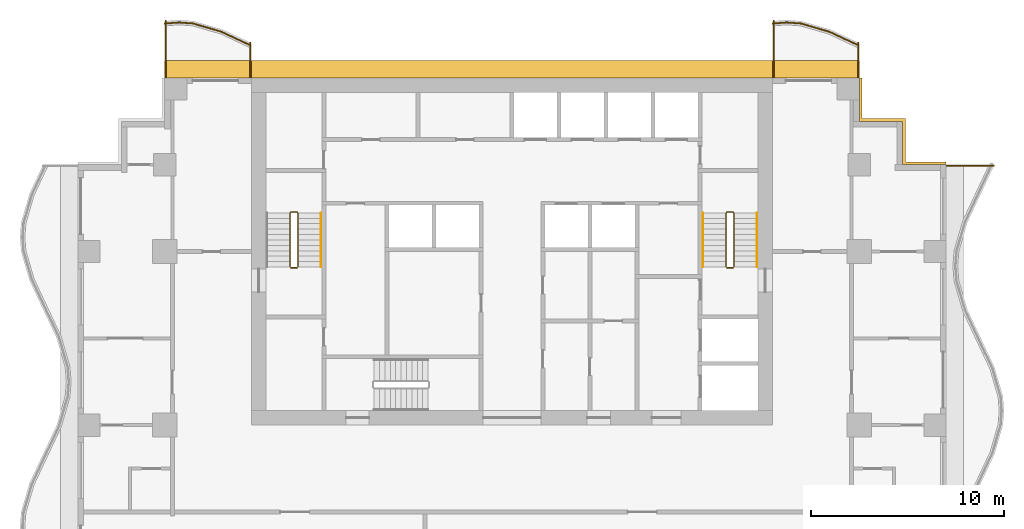
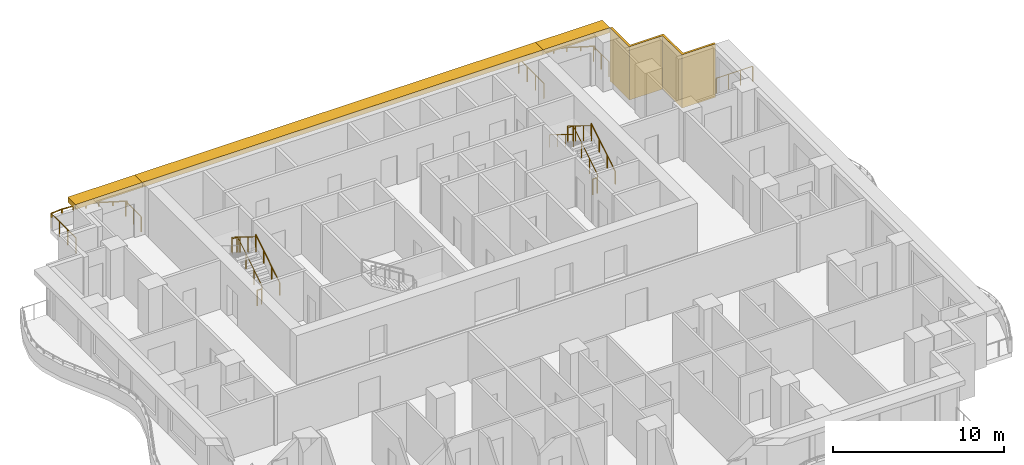
# One storey, part 10 of 10: 14 railings, 4 shading devices.
"""IFC4 building model written with IfcOpenShell, lengths in metres."""

from ifc_helpers import new_model, si_unit, direction, frame, origin, origin_2d, place, context, subcontext, project, spatial, polyline, rectangle, circle, outline, extrude, material, layer, layer_set, type_object, element, save


model = new_model("IFC4")

# Units and contexts
model_context = context("Model", 3, precision=1e-05, world=origin(), true_north=direction((0.0, 1.0)))
body_context = subcontext(model_context, "Body", "Model", "MODEL_VIEW")
ifc_project = project(units=[si_unit("LENGTHUNIT", "METRE"), si_unit("AREAUNIT", "SQUARE_METRE"), si_unit("VOLUMEUNIT", "CUBIC_METRE"), si_unit("PLANEANGLEUNIT", "RADIAN"), si_unit("MASSUNIT", "GRAM", prefix="KILO")], contexts=[model_context])

# Site, building, storey
site_placement = place(None, origin())
site = spatial("IfcSite", under=ifc_project, at=site_placement, CompositionType="ELEMENT")
building_placement = place(site_placement, origin())
building = spatial("IfcBuilding", under=site, at=building_placement, Name="Orbiselva Terraces", CompositionType="ELEMENT")
storey_placement = place(building_placement, frame((0.0, 0.0, 144.0)))
storey = spatial("IfcBuildingStorey", under=building, at=storey_placement, Name="L36", CompositionType="ELEMENT", Elevation=144.0)

# Railings
ifc_material_1 = material(Name="Stainless steel", Category="steel")
railing_type_1 = type_object("IfcRailingType", Name="CORE-GUARD-1100", PredefinedType="GUARDRAIL", material=ifc_material_1)
railing_1_placement = place(storey_placement, frame((-11.1, 12.7, 0.172727)))
element("IfcRailing", 1, at=railing_1_placement, inside=storey, type_object=railing_type_1, Name="L36 S1 stair guard 1", PredefinedType="GUARDRAIL", context=body_context, shape_type="SweptSolid", body=[
    extrude(circle(Radius=0.024, at=origin_2d()), frame((0.0, 0.0, 1.081), z_axis=(0.0, 0.851088519012, 0.52502222125), x_axis=(-1.0, 0.0, 0.0)), (0.0, 0.0, 1.0), 3.289905),
    extrude(circle(Radius=0.024, at=origin_2d()), frame((0.0, 2.8, 2.808273), z_axis=(-0.707106781187, 0.707106781187, 0.0), x_axis=(-0.707106781187, -0.707106781187, 0.0)), (0.0, 0.0, 1.0), 0.070711),
    extrude(circle(Radius=0.024, at=origin_2d()), frame((-0.05, 2.85, 2.808273), z_axis=(-1.0, 0.0, 0.0), x_axis=(0.0, -1.0, 0.0)), (0.0, 0.0, 1.0), 0.3),
    extrude(circle(Radius=0.024, at=origin_2d()), frame((-0.35, 2.85, 2.808273), z_axis=(-0.267894925557, -0.267894925557, 0.925453736133), x_axis=(0.707106781187, -0.707106781187, 0.0)), (0.0, 0.0, 1.0), 0.18664),
    extrude(circle(Radius=0.024, at=origin_2d()), frame((-0.4, 2.8, 2.981), z_axis=(0.0, -0.851088519012, 0.52502222125), x_axis=(1.0, 0.0, 0.0)), (0.0, 0.0, 1.0), 3.289905),
    extrude(circle(Radius=0.021, at=origin_2d()), origin(), (0.0, 0.0, 1.0), 1.057),
    extrude(circle(Radius=0.021, at=origin_2d()), frame((0.0, 0.933333, 0.575758)), (0.0, 0.0, 1.0), 1.057),
    extrude(circle(Radius=0.021, at=origin_2d()), frame((0.0, 1.866667, 1.151515)), (0.0, 0.0, 1.0), 1.057),
    extrude(circle(Radius=0.021, at=origin_2d()), frame((0.0, 2.8, 1.727273)), (0.0, 0.0, 1.0), 1.057),
    extrude(circle(Radius=0.021, at=origin_2d()), frame((-0.05, 2.85, 1.727273)), (0.0, 0.0, 1.0), 1.057),
    extrude(circle(Radius=0.021, at=origin_2d()), frame((-0.35, 2.85, 1.727273)), (0.0, 0.0, 1.0), 1.057),
    extrude(circle(Radius=0.021, at=origin_2d()), frame((-0.4, 2.8, 1.9)), (0.0, 0.0, 1.0), 1.057),
    extrude(circle(Radius=0.021, at=origin_2d()), frame((-0.4, 1.866667, 2.475758)), (0.0, 0.0, 1.0), 1.057),
    extrude(circle(Radius=0.021, at=origin_2d()), frame((-0.4, 0.933333, 3.051515)), (0.0, 0.0, 1.0), 1.057),
    extrude(circle(Radius=0.021, at=origin_2d()), frame((-0.4, 0.0, 3.627273)), (0.0, 0.0, 1.0), 1.057),
])
railing_2_placement = place(storey_placement, frame((-11.15, 12.65, 0.0)))
element("IfcRailing", 2, at=railing_2_placement, inside=storey, type_object=railing_type_1, Name="L36 S1 stair guard 2", PredefinedType="GUARDRAIL", context=body_context, shape_type="SweptSolid", body=[
    extrude(circle(Radius=0.024, at=origin_2d()), frame((0.0, 0.0, 1.081), z_axis=(-1.0, 0.0, 0.0), x_axis=(0.0, -1.0, 0.0)), (0.0, 0.0, 1.0), 0.3),
    extrude(circle(Radius=0.021, at=origin_2d()), origin(), (0.0, 0.0, 1.0), 1.057),
    extrude(circle(Radius=0.021, at=origin_2d()), frame((-0.3, 0.0, 0.0)), (0.0, 0.0, 1.0), 1.057),
])
railing_3_placement = place(storey_placement, frame((11.5, 12.7, 0.172727)))
element("IfcRailing", 3, at=railing_3_placement, inside=storey, type_object=railing_type_1, Name="L36 S2 stair guard 1", PredefinedType="GUARDRAIL", context=body_context, shape_type="SweptSolid", body=[
    extrude(circle(Radius=0.024, at=origin_2d()), frame((0.0, 0.0, 1.081), z_axis=(0.0, 0.851088519012, 0.52502222125), x_axis=(-1.0, 0.0, 0.0)), (0.0, 0.0, 1.0), 3.289905),
    extrude(circle(Radius=0.024, at=origin_2d()), frame((0.0, 2.8, 2.808273), z_axis=(-0.707106781187, 0.707106781187, 0.0), x_axis=(-0.707106781187, -0.707106781187, 0.0)), (0.0, 0.0, 1.0), 0.070711),
    extrude(circle(Radius=0.024, at=origin_2d()), frame((-0.05, 2.85, 2.808273), z_axis=(-1.0, 0.0, 0.0), x_axis=(0.0, -1.0, 0.0)), (0.0, 0.0, 1.0), 0.3),
    extrude(circle(Radius=0.024, at=origin_2d()), frame((-0.35, 2.85, 2.808273), z_axis=(-0.267894925557, -0.267894925557, 0.925453736133), x_axis=(0.707106781187, -0.707106781187, 0.0)), (0.0, 0.0, 1.0), 0.18664),
    extrude(circle(Radius=0.024, at=origin_2d()), frame((-0.4, 2.8, 2.981), z_axis=(0.0, -0.851088519012, 0.52502222125), x_axis=(1.0, 0.0, 0.0)), (0.0, 0.0, 1.0), 3.289905),
    extrude(circle(Radius=0.021, at=origin_2d()), origin(), (0.0, 0.0, 1.0), 1.057),
    extrude(circle(Radius=0.021, at=origin_2d()), frame((0.0, 0.933333, 0.575758)), (0.0, 0.0, 1.0), 1.057),
    extrude(circle(Radius=0.021, at=origin_2d()), frame((0.0, 1.866667, 1.151515)), (0.0, 0.0, 1.0), 1.057),
    extrude(circle(Radius=0.021, at=origin_2d()), frame((0.0, 2.8, 1.727273)), (0.0, 0.0, 1.0), 1.057),
    extrude(circle(Radius=0.021, at=origin_2d()), frame((-0.05, 2.85, 1.727273)), (0.0, 0.0, 1.0), 1.057),
    extrude(circle(Radius=0.021, at=origin_2d()), frame((-0.35, 2.85, 1.727273)), (0.0, 0.0, 1.0), 1.057),
    extrude(circle(Radius=0.021, at=origin_2d()), frame((-0.4, 2.8, 1.9)), (0.0, 0.0, 1.0), 1.057),
    extrude(circle(Radius=0.021, at=origin_2d()), frame((-0.4, 1.866667, 2.475758)), (0.0, 0.0, 1.0), 1.057),
    extrude(circle(Radius=0.021, at=origin_2d()), frame((-0.4, 0.933333, 3.051515)), (0.0, 0.0, 1.0), 1.057),
    extrude(circle(Radius=0.021, at=origin_2d()), frame((-0.4, 0.0, 3.627273)), (0.0, 0.0, 1.0), 1.057),
])
railing_4_placement = place(storey_placement, frame((11.45, 12.65, 0.0)))
element("IfcRailing", 4, at=railing_4_placement, inside=storey, type_object=railing_type_1, Name="L36 S2 stair guard 2", PredefinedType="GUARDRAIL", context=body_context, shape_type="SweptSolid", body=[
    extrude(circle(Radius=0.024, at=origin_2d()), frame((0.0, 0.0, 1.081), z_axis=(-1.0, 0.0, 0.0), x_axis=(0.0, -1.0, 0.0)), (0.0, 0.0, 1.0), 0.3),
    extrude(circle(Radius=0.021, at=origin_2d()), origin(), (0.0, 0.0, 1.0), 1.057),
    extrude(circle(Radius=0.021, at=origin_2d()), frame((-0.3, 0.0, 0.0)), (0.0, 0.0, 1.0), 1.057),
])
railing_type_2 = type_object("IfcRailingType", Name="CORE-HANDRAIL-900", PredefinedType="HANDRAIL", material=ifc_material_1)
for number, where, name in (
    (5, (-9.9, 12.7, 0.172727), "L36 S1 stair handrail 1"),
    (6, (12.7, 12.7, 0.172727), "L36 S2 stair handrail 1"),
):
    element("IfcRailing", number, at=place(storey_placement, frame(where)), inside=storey, type_object=railing_type_2, Name=name, PredefinedType="HANDRAIL", context=body_context, shape_type="SweptSolid", body=[
        extrude(circle(Radius=0.024, at=origin_2d()), frame((0.0, 0.0, 0.876), z_axis=(0.0, 0.851088519012, 0.52502222125), x_axis=(-1.0, 0.0, 0.0)), (0.0, 0.0, 1.0), 3.289905),
        extrude(circle(Radius=0.021, at=origin_2d()), origin(), (0.0, 0.0, 1.0), 0.852),
        extrude(circle(Radius=0.021, at=origin_2d()), frame((0.0, 0.933333, 0.575758)), (0.0, 0.0, 1.0), 0.852),
        extrude(circle(Radius=0.021, at=origin_2d()), frame((0.0, 1.866667, 1.151515)), (0.0, 0.0, 1.0), 0.852),
        extrude(circle(Radius=0.021, at=origin_2d()), frame((0.0, 2.8, 1.727273)), (0.0, 0.0, 1.0), 0.852),
    ])
railing_5_placement = place(storey_placement, frame((9.9, 15.5, 2.072727)))
element("IfcRailing", 7, at=railing_5_placement, inside=storey, type_object=railing_type_2, Name="L36 S2 stair handrail 2", PredefinedType="HANDRAIL", context=body_context, shape_type="SweptSolid", body=[
    extrude(circle(Radius=0.024, at=origin_2d()), frame((0.0, 0.0, 0.876), z_axis=(0.0, -0.851088519012, 0.52502222125), x_axis=(1.0, 0.0, 0.0)), (0.0, 0.0, 1.0), 3.289905),
    extrude(circle(Radius=0.021, at=origin_2d()), origin(), (0.0, 0.0, 1.0), 0.852),
    extrude(circle(Radius=0.021, at=origin_2d()), frame((0.0, -0.933333, 0.575758)), (0.0, 0.0, 1.0), 0.852),
    extrude(circle(Radius=0.021, at=origin_2d()), frame((0.0, -1.866667, 1.151515)), (0.0, 0.0, 1.0), 0.852),
    extrude(circle(Radius=0.021, at=origin_2d()), frame((0.0, -2.8, 1.727273)), (0.0, 0.0, 1.0), 0.852),
])
ifc_material_2 = material(Name="Bonded two-ply safety glass balustrade, stainless steel posts", Category="steel")
railing_type_3 = type_object("IfcRailingType", Name="ENV-BALUSTRADE-1200", PredefinedType="BALUSTRADE", material=ifc_material_2)
railing_6_placement = place(storey_placement, frame((17.946809, 24.186882, 0.9)))
element("IfcRailing", 8, at=railing_6_placement, inside=storey, type_object=railing_type_3, Name="Balcony balustrade L36 NE", PredefinedType="BALUSTRADE", context=body_context, shape_type="SweptSolid", body=[
    extrude(outline(polyline([(0.028868, 0.0), (0.014434, 0.025), (-0.014434, 0.025), (-0.028868, 0.0), (-0.014434, -0.025), (0.014434, -0.025), (0.028868, 0.0)])), frame((0.0, 0.0, 0.275), z_axis=(-0.904944359461, 0.425529912322, 0.0), x_axis=(-0.425529912322, -0.904944359461, 0.0)), (0.0, 0.0, 1.0), 1.647746),
    extrude(outline(polyline([(0.028868, 0.0), (0.014434, 0.025), (-0.014434, 0.025), (-0.028868, 0.0), (-0.014434, -0.025), (0.014434, -0.025), (0.028868, 0.0)])), frame((-1.491118, 0.701165, 0.275), z_axis=(-0.960270317007, 0.279071528957, 0.0), x_axis=(-0.279071528957, -0.960270317007, 0.0)), (0.0, 0.0, 1.0), 1.539408),
    extrude(outline(polyline([(0.028868, 0.0), (0.014434, 0.025), (-0.014434, 0.025), (-0.028868, 0.0), (-0.014434, -0.025), (0.014434, -0.025), (0.028868, 0.0)])), frame((-2.969366, 1.13077, 0.275), z_axis=(-0.996947916106, 0.078069536776, 0.0), x_axis=(-0.078069536776, -0.996947916106, 0.0)), (0.0, 0.0, 1.0), 0.72967),
    extrude(outline(polyline([(0.028868, 0.0), (0.014434, 0.025), (-0.014434, 0.025), (-0.028868, 0.0), (-0.014434, -0.025), (0.014434, -0.025), (0.028868, 0.0)])), frame((-3.696809, 1.187735, 0.275), z_axis=(-0.996947936306, -0.078069278821, 0.0), x_axis=(0.078069278821, -0.996947936306, 0.0)), (0.0, 0.0, 1.0), 0.742507),
    extrude(rectangle(XDim=0.05, YDim=0.05, at=origin_2d()), origin(), (0.0, 0.0, 1.0), 0.25),
    extrude(rectangle(XDim=0.05, YDim=0.05, at=origin_2d()), frame((-0.745559, 0.350582, 0.0)), (0.0, 0.0, 1.0), 0.25),
    extrude(rectangle(XDim=0.05, YDim=0.05, at=origin_2d()), frame((-1.491118, 0.701165, 0.0)), (0.0, 0.0, 1.0), 0.25),
    extrude(rectangle(XDim=0.05, YDim=0.05, at=origin_2d()), frame((-2.230242, 0.915967, 0.0)), (0.0, 0.0, 1.0), 0.25),
    extrude(rectangle(XDim=0.05, YDim=0.05, at=origin_2d()), frame((-2.969366, 1.13077, 0.0)), (0.0, 0.0, 1.0), 0.25),
    extrude(rectangle(XDim=0.05, YDim=0.05, at=origin_2d()), frame((-3.696809, 1.187735, 0.0)), (0.0, 0.0, 1.0), 0.25),
    extrude(rectangle(XDim=0.05, YDim=0.05, at=origin_2d()), frame((-4.43705, 1.129768, 0.0)), (0.0, 0.0, 1.0), 0.25),
])
railing_7_placement = place(storey_placement, frame((-13.553191, 24.186882, 0.9)))
element("IfcRailing", 9, at=railing_7_placement, inside=storey, type_object=railing_type_3, Name="Balcony balustrade L36 NW", PredefinedType="BALUSTRADE", context=body_context, shape_type="SweptSolid", body=[
    extrude(outline(polyline([(0.028868, 0.0), (0.014434, 0.025), (-0.014434, 0.025), (-0.028868, 0.0), (-0.014434, -0.025), (0.014434, -0.025), (0.028868, 0.0)])), frame((0.0, 0.0, 0.275), z_axis=(-0.904944359461, 0.425529912322, 0.0), x_axis=(-0.425529912322, -0.904944359461, 0.0)), (0.0, 0.0, 1.0), 1.647746),
    extrude(outline(polyline([(0.028868, 0.0), (0.014434, 0.025), (-0.014434, 0.025), (-0.028868, 0.0), (-0.014434, -0.025), (0.014434, -0.025), (0.028868, 0.0)])), frame((-1.491118, 0.701165, 0.275), z_axis=(-0.960270317007, 0.279071528957, 0.0), x_axis=(-0.279071528957, -0.960270317007, 0.0)), (0.0, 0.0, 1.0), 1.539408),
    extrude(outline(polyline([(0.028868, 0.0), (0.014434, 0.025), (-0.014434, 0.025), (-0.028868, 0.0), (-0.014434, -0.025), (0.014434, -0.025), (0.028868, 0.0)])), frame((-2.969366, 1.13077, 0.275), z_axis=(-0.996947916106, 0.078069536776, 0.0), x_axis=(-0.078069536776, -0.996947916106, 0.0)), (0.0, 0.0, 1.0), 0.72967),
    extrude(outline(polyline([(0.028868, 0.0), (0.014434, 0.025), (-0.014434, 0.025), (-0.028868, 0.0), (-0.014434, -0.025), (0.014434, -0.025), (0.028868, 0.0)])), frame((-3.696809, 1.187735, 0.275), z_axis=(-0.996947936306, -0.078069278821, 0.0), x_axis=(0.078069278821, -0.996947936306, 0.0)), (0.0, 0.0, 1.0), 0.742507),
    extrude(rectangle(XDim=0.05, YDim=0.05, at=origin_2d()), origin(), (0.0, 0.0, 1.0), 0.25),
    extrude(rectangle(XDim=0.05, YDim=0.05, at=origin_2d()), frame((-0.745559, 0.350582, 0.0)), (0.0, 0.0, 1.0), 0.25),
    extrude(rectangle(XDim=0.05, YDim=0.05, at=origin_2d()), frame((-1.491118, 0.701165, 0.0)), (0.0, 0.0, 1.0), 0.25),
    extrude(rectangle(XDim=0.05, YDim=0.05, at=origin_2d()), frame((-2.230242, 0.915967, 0.0)), (0.0, 0.0, 1.0), 0.25),
    extrude(rectangle(XDim=0.05, YDim=0.05, at=origin_2d()), frame((-2.969366, 1.13077, 0.0)), (0.0, 0.0, 1.0), 0.25),
    extrude(rectangle(XDim=0.05, YDim=0.05, at=origin_2d()), frame((-3.696809, 1.187735, 0.0)), (0.0, 0.0, 1.0), 0.25),
    extrude(rectangle(XDim=0.05, YDim=0.05, at=origin_2d()), frame((-4.43705, 1.129768, 0.0)), (0.0, 0.0, 1.0), 0.25),
])
ifc_material_3 = material(Name="Stainless steel rail and posts", Category="steel")
railing_type_4 = type_object("IfcRailingType", Name="ENV-GUARD-1105", PredefinedType="BALUSTRADE", material=ifc_material_3)
railing_8_placement = place(storey_placement, frame((24.980723, 17.94, 0.0)))
element("IfcRailing", 10, at=railing_8_placement, inside=storey, type_object=railing_type_4, Name="Balcony end guard L36 E", PredefinedType="BALUSTRADE", context=body_context, shape_type="SweptSolid", body=[
    extrude(outline(polyline([(0.028868, 0.0), (0.014434, 0.025), (-0.014434, 0.025), (-0.028868, 0.0), (-0.014434, -0.025), (0.014434, -0.025), (0.028868, 0.0)])), frame((0.0, 0.0, 1.08), z_axis=(-1.0, 0.0, 0.0), x_axis=(0.0, -1.0, 0.0)), (0.0, 0.0, 1.0), 2.455723),
    extrude(rectangle(XDim=0.05, YDim=0.05, at=origin_2d()), origin(), (0.0, 0.0, 1.0), 1.055),
    extrude(rectangle(XDim=0.05, YDim=0.05, at=origin_2d()), frame((-0.818574, 0.0, 0.0)), (0.0, 0.0, 1.0), 1.055),
    extrude(rectangle(XDim=0.05, YDim=0.05, at=origin_2d()), frame((-1.637149, 0.0, 0.0)), (0.0, 0.0, 1.0), 1.055),
    extrude(rectangle(XDim=0.05, YDim=0.05, at=origin_2d()), frame((-2.455723, 0.0, 0.0)), (0.0, 0.0, 1.0), 1.055),
])
railing_9_placement = place(storey_placement, frame((17.94, 24.330156, 0.0)))
element("IfcRailing", 11, at=railing_9_placement, inside=storey, type_object=railing_type_4, Name="Balcony end guard L36 NE", PredefinedType="BALUSTRADE", context=body_context, shape_type="SweptSolid", body=[
    extrude(outline(polyline([(0.028868, 0.0), (0.014434, 0.025), (-0.014434, 0.025), (-0.028868, 0.0), (-0.014434, -0.025), (0.014434, -0.025), (0.028868, 0.0)])), frame((0.0, 0.0, 1.08), z_axis=(0.0, -1.0, 0.0), x_axis=(1.0, 0.0, 0.0)), (0.0, 0.0, 1.0), 1.805156),
    extrude(rectangle(XDim=0.05, YDim=0.05, at=origin_2d()), origin(), (0.0, 0.0, 1.0), 1.055),
    extrude(rectangle(XDim=0.05, YDim=0.05, at=origin_2d()), frame((0.0, -0.902578, 0.0)), (0.0, 0.0, 1.0), 1.055),
    extrude(rectangle(XDim=0.05, YDim=0.05, at=origin_2d()), frame((0.0, -1.805156, 0.0)), (0.0, 0.0, 1.0), 1.055),
])
railing_10_placement = place(storey_placement, frame((13.56, 25.450226, 0.0)))
element("IfcRailing", 12, at=railing_10_placement, inside=storey, type_object=railing_type_4, Name="Balcony end guard L36 NE", PredefinedType="BALUSTRADE", context=body_context, shape_type="SweptSolid", body=[
    extrude(outline(polyline([(0.028868, 0.0), (0.014434, 0.025), (-0.014434, 0.025), (-0.028868, 0.0), (-0.014434, -0.025), (0.014434, -0.025), (0.028868, 0.0)])), frame((0.0, 0.0, 1.08), z_axis=(0.0, -1.0, 0.0), x_axis=(1.0, 0.0, 0.0)), (0.0, 0.0, 1.0), 2.925226),
    extrude(rectangle(XDim=0.05, YDim=0.05, at=origin_2d()), origin(), (0.0, 0.0, 1.0), 1.055),
    extrude(rectangle(XDim=0.05, YDim=0.05, at=origin_2d()), frame((0.0, -0.975075, 0.0)), (0.0, 0.0, 1.0), 1.055),
    extrude(rectangle(XDim=0.05, YDim=0.05, at=origin_2d()), frame((0.0, -1.950151, 0.0)), (0.0, 0.0, 1.0), 1.055),
    extrude(rectangle(XDim=0.05, YDim=0.05, at=origin_2d()), frame((0.0, -2.925226, 0.0)), (0.0, 0.0, 1.0), 1.055),
])
railing_11_placement = place(storey_placement, frame((-13.56, 24.330156, 0.0)))
element("IfcRailing", 13, at=railing_11_placement, inside=storey, type_object=railing_type_4, Name="Balcony end guard L36 NW", PredefinedType="BALUSTRADE", context=body_context, shape_type="SweptSolid", body=[
    extrude(outline(polyline([(0.028868, 0.0), (0.014434, 0.025), (-0.014434, 0.025), (-0.028868, 0.0), (-0.014434, -0.025), (0.014434, -0.025), (0.028868, 0.0)])), frame((0.0, 0.0, 1.08), z_axis=(0.0, -1.0, 0.0), x_axis=(1.0, 0.0, 0.0)), (0.0, 0.0, 1.0), 1.805156),
    extrude(rectangle(XDim=0.05, YDim=0.05, at=origin_2d()), origin(), (0.0, 0.0, 1.0), 1.055),
    extrude(rectangle(XDim=0.05, YDim=0.05, at=origin_2d()), frame((0.0, -0.902578, 0.0)), (0.0, 0.0, 1.0), 1.055),
    extrude(rectangle(XDim=0.05, YDim=0.05, at=origin_2d()), frame((0.0, -1.805156, 0.0)), (0.0, 0.0, 1.0), 1.055),
])
railing_12_placement = place(storey_placement, frame((-17.94, 25.450226, 0.0)))
element("IfcRailing", 14, at=railing_12_placement, inside=storey, type_object=railing_type_4, Name="Balcony end guard L36 NW", PredefinedType="BALUSTRADE", context=body_context, shape_type="SweptSolid", body=[
    extrude(outline(polyline([(0.028868, 0.0), (0.014434, 0.025), (-0.014434, 0.025), (-0.028868, 0.0), (-0.014434, -0.025), (0.014434, -0.025), (0.028868, 0.0)])), frame((0.0, 0.0, 1.08), z_axis=(0.0, -1.0, 0.0), x_axis=(1.0, 0.0, 0.0)), (0.0, 0.0, 1.0), 2.925226),
    extrude(rectangle(XDim=0.05, YDim=0.05, at=origin_2d()), origin(), (0.0, 0.0, 1.0), 1.055),
    extrude(rectangle(XDim=0.05, YDim=0.05, at=origin_2d()), frame((0.0, -0.975075, 0.0)), (0.0, 0.0, 1.0), 1.055),
    extrude(rectangle(XDim=0.05, YDim=0.05, at=origin_2d()), frame((0.0, -1.950151, 0.0)), (0.0, 0.0, 1.0), 1.055),
    extrude(rectangle(XDim=0.05, YDim=0.05, at=origin_2d()), frame((0.0, -2.925226, 0.0)), (0.0, 0.0, 1.0), 1.055),
])

# Shading devices
ifc_material_4 = material(Name="Terracotta louvre screen", Category="masonry")
ifc_layer_1 = layer(ifc_material_4, 0.15)
ifc_layer_set_1 = layer_set([ifc_layer_1], Name="Terracotta louvre screen")
shading_device_type_1 = type_object("IfcShadingDeviceType", Name="ENV-SCREEN-150", PredefinedType="USERDEFINED", material=ifc_layer_set_1)
shading_device_1_placement = place(storey_placement, frame((0.0, 0.0, -0.3)))
element("IfcShadingDevice", 15, at=shading_device_1_placement, inside=storey, type_object=shading_device_type_1, Name="Louvre screen L36 NE", ObjectType="SCREEN", PredefinedType="USERDEFINED", context=body_context, shape_type="SweptSolid", body=[
    extrude(outline(polyline([(22.5, 18.15), (20.4, 18.15), (20.4, 20.4), (18.15, 20.4), (18.15, 22.5), (18.0, 22.5), (18.0, 20.25), (20.25, 20.25), (20.25, 18.0), (22.5, 18.0), (22.5, 18.15)])), origin(), (0.0, 0.0, 1.0), 3.8),
])
ifc_material_5 = material(Name="Terracotta baguette sunshade", Category="masonry")
ifc_layer_2 = layer(ifc_material_5, 0.35)
ifc_layer_set_2 = layer_set([ifc_layer_2], Name="Terracotta baguette sunshade")
shading_device_type_2 = type_object("IfcShadingDeviceType", Name="ENV-SUNSHADE-900x350", PredefinedType="USERDEFINED", material=ifc_layer_set_2)
shading_device_2_placement = place(storey_placement, frame((0.0, 0.0, 3.15)))
element("IfcShadingDevice", 16, at=shading_device_2_placement, inside=storey, type_object=shading_device_type_2, Name="Sunshade band L36 NE", ObjectType="SUNSHADE", PredefinedType="USERDEFINED", context=body_context, shape_type="SweptSolid", body=[
    extrude(outline(polyline([(18.0, 23.4), (13.5, 23.4), (13.5, 22.5), (18.0, 22.5), (18.0, 23.4)])), origin(), (0.0, 0.0, 1.0), 0.35),
])
shading_device_3_placement = place(storey_placement, frame((0.0, 0.0, 3.15)))
element("IfcShadingDevice", 17, at=shading_device_3_placement, inside=storey, type_object=shading_device_type_2, Name="Sunshade band L36 CORE NORTH", ObjectType="SUNSHADE", PredefinedType="USERDEFINED", context=body_context, shape_type="SweptSolid", body=[
    extrude(outline(polyline([(13.5, 23.4), (-13.5, 23.4), (-13.5, 22.5), (13.5, 22.5), (13.5, 23.4)])), origin(), (0.0, 0.0, 1.0), 0.35),
])
shading_device_4_placement = place(storey_placement, frame((0.0, 0.0, 3.15)))
element("IfcShadingDevice", 18, at=shading_device_4_placement, inside=storey, type_object=shading_device_type_2, Name="Sunshade band L36 NW", ObjectType="SUNSHADE", PredefinedType="USERDEFINED", context=body_context, shape_type="SweptSolid", body=[
    extrude(outline(polyline([(-13.5, 23.4), (-18.0, 23.4), (-18.0, 22.5), (-13.5, 22.5), (-13.5, 23.4)])), origin(), (0.0, 0.0, 1.0), 0.35),
])

save(model, "model.ifc")
